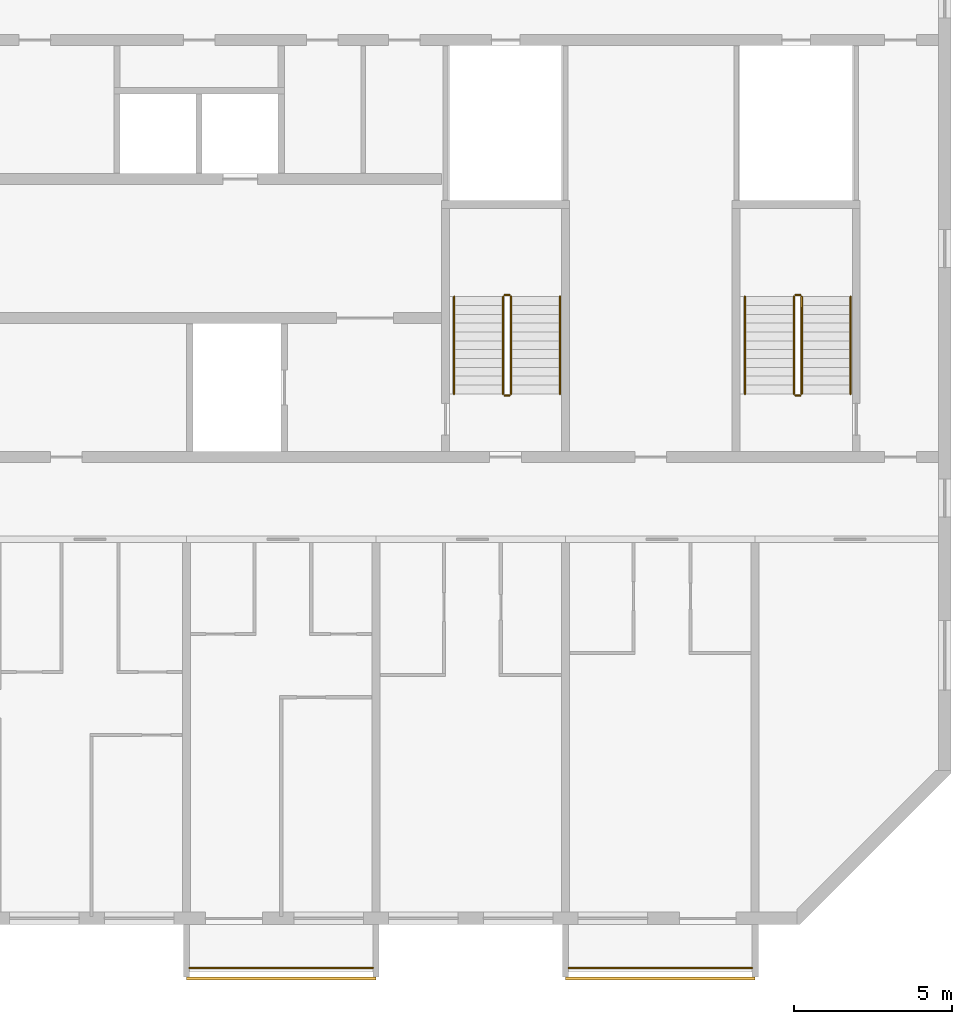
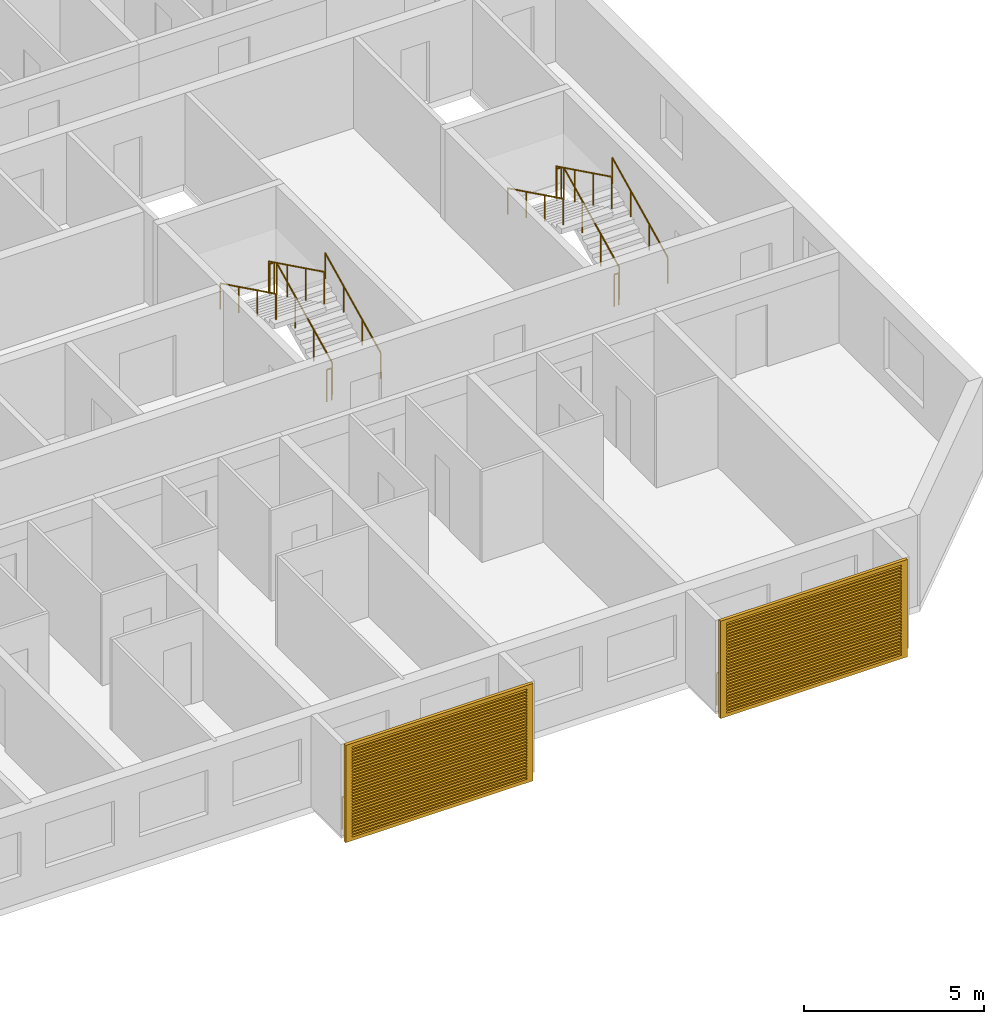
# One storey, part 14 of 26: 14 railings, 2 shading devices.
"""IFC4 building model written with IfcOpenShell, lengths in metres."""

from ifc_helpers import new_model, si_unit, direction, frame, origin, origin_2d, place, context, subcontext, project, spatial, polyline, circle, outline, extrude, source, transform, mapped, material, material_profile, profile_set, type_object, element, save


model = new_model("IFC4")

# Units and contexts
model_context = context("Model", 3, precision=1e-05, world=origin(), true_north=direction((0.0, 1.0)))
body_context = subcontext(model_context, "Body", "Model", "MODEL_VIEW")
ifc_project = project(units=[si_unit("LENGTHUNIT", "METRE"), si_unit("AREAUNIT", "SQUARE_METRE"), si_unit("VOLUMEUNIT", "CUBIC_METRE"), si_unit("PLANEANGLEUNIT", "RADIAN"), si_unit("MASSUNIT", "GRAM", prefix="KILO")], contexts=[model_context])

# Site, building, storey
site_placement = place(None, origin())
site = spatial("IfcSite", under=ifc_project, at=site_placement, CompositionType="ELEMENT")
building_placement = place(site_placement, origin())
building = spatial("IfcBuilding", under=site, at=building_placement, Name="Poui Terraces", CompositionType="ELEMENT")
storey_placement = place(building_placement, frame((0.0, 0.0, 247.800048828125)))
storey = spatial("IfcBuildingStorey", under=building, at=storey_placement, Name="L69", CompositionType="ELEMENT", Elevation=247.800048828125)

# Railings
ifc_material_1 = material(Name="Painted steel fretwork", Category="steel")
railing_type_1 = type_object("IfcRailingType", Name="BALCONY GUARD 1100", PredefinedType="GUARDRAIL", material=ifc_material_1)
for number, where, name in (
    (1, (60.10009765625, -1.570068359375, 0.0), "BALCONY GUARD"),
    (2, (72.10009765625, -1.570068359375, 0.0), "BALCONY GUARD"),
):
    element("IfcRailing", number, at=place(storey_placement, frame(where)), inside=storey, type_object=railing_type_1, Name=name, PredefinedType="GUARDRAIL", context=body_context, shape_type="SweptSolid", body=[
        extrude(circle(Radius=0.02392578125, at=origin_2d()), frame((0.0, 0.0, 1.076171875), z_axis=(1.0, 0.0, 0.0), x_axis=(0.0, 1.0, 0.0)), (0.0, 0.0, 1.0), 5.7998046875),
        extrude(circle(Radius=0.02099609375, at=origin_2d()), origin(), (0.0, 0.0, 1.0), 1.052001953125),
        extrude(circle(Radius=0.02099609375, at=origin_2d()), frame((0.966552734375, 0.0, 0.0)), (0.0, 0.0, 1.0), 1.052001953125),
        extrude(circle(Radius=0.02099609375, at=origin_2d()), frame((1.933349609375, 0.0, 0.0)), (0.0, 0.0, 1.0), 1.052001953125),
        extrude(circle(Radius=0.02099609375, at=origin_2d()), frame((2.89990234375, 0.0, 0.0)), (0.0, 0.0, 1.0), 1.052001953125),
        extrude(circle(Radius=0.02099609375, at=origin_2d()), frame((3.866455078125, 0.0, 0.0)), (0.0, 0.0, 1.0), 1.052001953125),
        extrude(circle(Radius=0.02099609375, at=origin_2d()), frame((4.833251953125, 0.0, 0.0)), (0.0, 0.0, 1.0), 1.052001953125),
        extrude(circle(Radius=0.02099609375, at=origin_2d()), frame((5.7998046875, 0.0, 0.0)), (0.0, 0.0, 1.0), 1.052001953125),
    ])
ifc_material_2 = material(Name="Galvanised steel balustrade", Category="steel")
railing_type_2 = type_object("IfcRailingType", Name="STAIR GUARD 1100", PredefinedType="GUARDRAIL", material=ifc_material_2)
railing_1_placement = place(storey_placement, frame((70.27490234375, 16.60009765625, 0.137451171875)))
element("IfcRailing", 3, at=railing_1_placement, inside=storey, type_object=railing_type_2, Name="L69 ST-CE stair guard 1", PredefinedType="GUARDRAIL", context=body_context, shape_type="SweptSolid", body=[
    extrude(circle(Radius=0.02392578125, at=origin_2d()), frame((0.0, 0.0, 1.076171875), z_axis=(0.0, 0.897606190399, 0.440798283751), x_axis=(-1.0, 0.0, 0.0)), (0.0, 0.0, 1.0), 3.43115234375),
    extrude(circle(Radius=0.02099609375, at=origin_2d()), origin(), (0.0, 0.0, 1.0), 1.052001953125),
    extrude(circle(Radius=0.02099609375, at=origin_2d()), frame((0.0, 1.026611328125, 0.504150390625)), (0.0, 0.0, 1.0), 1.052001953125),
    extrude(circle(Radius=0.02099609375, at=origin_2d()), frame((0.0, 2.05322265625, 1.00830078125)), (0.0, 0.0, 1.0), 1.052001953125),
    extrude(circle(Radius=0.02099609375, at=origin_2d()), frame((0.0, 3.079833984375, 1.512451171875)), (0.0, 0.0, 1.0), 1.052001953125),
])
railing_2_placement = place(storey_placement, frame((70.22509765625, 19.72998046875, 1.64990234375)))
element("IfcRailing", 4, at=railing_2_placement, inside=storey, type_object=railing_type_2, Name="L69 ST-CE stair guard 2", PredefinedType="GUARDRAIL", context=body_context, shape_type="SweptSolid", body=[
    extrude(circle(Radius=0.02392578125, at=origin_2d()), frame((0.0, 0.0, 1.076171875), z_axis=(-1.0, 0.0, 0.0), x_axis=(0.0, -1.0, 0.0)), (0.0, 0.0, 1.0), 0.150146484375),
    extrude(circle(Radius=0.02099609375, at=origin_2d()), origin(), (0.0, 0.0, 1.0), 1.052001953125),
    extrude(circle(Radius=0.02099609375, at=origin_2d()), frame((-0.150146484375, 0.0, 0.0)), (0.0, 0.0, 1.0), 1.052001953125),
])
railing_3_placement = place(storey_placement, frame((70.02490234375, 19.679931640625, 1.787353515625)))
element("IfcRailing", 5, at=railing_3_placement, inside=storey, type_object=railing_type_2, Name="L69 ST-CE stair guard 3", PredefinedType="GUARDRAIL", context=body_context, shape_type="SweptSolid", body=[
    extrude(circle(Radius=0.02392578125, at=origin_2d()), frame((0.0, 0.0, 1.076171875), z_axis=(0.0, -0.897578036475, 0.440855609512), x_axis=(1.0, 0.0, 0.0)), (0.0, 0.0, 1.0), 3.43115234375),
    extrude(circle(Radius=0.02099609375, at=origin_2d()), origin(), (0.0, 0.0, 1.0), 1.052001953125),
    extrude(circle(Radius=0.02099609375, at=origin_2d()), frame((0.0, -1.026611328125, 0.504150390625)), (0.0, 0.0, 1.0), 1.052001953125),
    extrude(circle(Radius=0.02099609375, at=origin_2d()), frame((0.0, -2.05322265625, 1.008544921875)), (0.0, 0.0, 1.0), 1.052001953125),
    extrude(circle(Radius=0.02099609375, at=origin_2d()), frame((0.0, -3.079833984375, 1.5126953125)), (0.0, 0.0, 1.0), 1.052001953125),
])
railing_4_placement = place(storey_placement, frame((70.22509765625, 16.550048828125, 0.0)))
element("IfcRailing", 6, at=railing_4_placement, inside=storey, type_object=railing_type_2, Name="L69 ST-CE stair guard 4", PredefinedType="GUARDRAIL", context=body_context, shape_type="SweptSolid", body=[
    extrude(circle(Radius=0.02392578125, at=origin_2d()), frame((0.0, 0.0, 1.076171875), z_axis=(-1.0, 0.0, 0.0), x_axis=(0.0, -1.0, 0.0)), (0.0, 0.0, 1.0), 0.150146484375),
    extrude(circle(Radius=0.02099609375, at=origin_2d()), origin(), (0.0, 0.0, 1.0), 1.052001953125),
    extrude(circle(Radius=0.02099609375, at=origin_2d()), frame((-0.150146484375, 0.0, 0.0)), (0.0, 0.0, 1.0), 1.052001953125),
])
railing_5_placement = place(storey_placement, frame((79.47509765625, 16.60009765625, 0.137451171875)))
element("IfcRailing", 7, at=railing_5_placement, inside=storey, type_object=railing_type_2, Name="L69 ST-E stair guard 1", PredefinedType="GUARDRAIL", context=body_context, shape_type="SweptSolid", body=[
    extrude(circle(Radius=0.02392578125, at=origin_2d()), frame((0.0, 0.0, 1.076171875), z_axis=(0.0, 0.897606190399, 0.440798283751), x_axis=(-1.0, 0.0, 0.0)), (0.0, 0.0, 1.0), 3.43115234375),
    extrude(circle(Radius=0.02099609375, at=origin_2d()), origin(), (0.0, 0.0, 1.0), 1.052001953125),
    extrude(circle(Radius=0.02099609375, at=origin_2d()), frame((0.0, 1.026611328125, 0.504150390625)), (0.0, 0.0, 1.0), 1.052001953125),
    extrude(circle(Radius=0.02099609375, at=origin_2d()), frame((0.0, 2.05322265625, 1.00830078125)), (0.0, 0.0, 1.0), 1.052001953125),
    extrude(circle(Radius=0.02099609375, at=origin_2d()), frame((0.0, 3.079833984375, 1.512451171875)), (0.0, 0.0, 1.0), 1.052001953125),
])
railing_6_placement = place(storey_placement, frame((79.425048828125, 19.72998046875, 1.64990234375)))
element("IfcRailing", 8, at=railing_6_placement, inside=storey, type_object=railing_type_2, Name="L69 ST-E stair guard 2", PredefinedType="GUARDRAIL", context=body_context, shape_type="SweptSolid", body=[
    extrude(circle(Radius=0.02392578125, at=origin_2d()), frame((0.0, 0.0, 1.076171875), z_axis=(-1.0, 0.0, 0.0), x_axis=(0.0, -1.0, 0.0)), (0.0, 0.0, 1.0), 0.150146484375),
    extrude(circle(Radius=0.02099609375, at=origin_2d()), origin(), (0.0, 0.0, 1.0), 1.052001953125),
    extrude(circle(Radius=0.02099609375, at=origin_2d()), frame((-0.150146484375, 0.0, 0.0)), (0.0, 0.0, 1.0), 1.052001953125),
])
railing_7_placement = place(storey_placement, frame((79.22509765625, 19.679931640625, 1.787353515625)))
element("IfcRailing", 9, at=railing_7_placement, inside=storey, type_object=railing_type_2, Name="L69 ST-E stair guard 3", PredefinedType="GUARDRAIL", context=body_context, shape_type="SweptSolid", body=[
    extrude(circle(Radius=0.02392578125, at=origin_2d()), frame((0.0, 0.0, 1.076171875), z_axis=(0.0, -0.897578036475, 0.440855609512), x_axis=(1.0, 0.0, 0.0)), (0.0, 0.0, 1.0), 3.43115234375),
    extrude(circle(Radius=0.02099609375, at=origin_2d()), origin(), (0.0, 0.0, 1.0), 1.052001953125),
    extrude(circle(Radius=0.02099609375, at=origin_2d()), frame((0.0, -1.026611328125, 0.504150390625)), (0.0, 0.0, 1.0), 1.052001953125),
    extrude(circle(Radius=0.02099609375, at=origin_2d()), frame((0.0, -2.05322265625, 1.008544921875)), (0.0, 0.0, 1.0), 1.052001953125),
    extrude(circle(Radius=0.02099609375, at=origin_2d()), frame((0.0, -3.079833984375, 1.5126953125)), (0.0, 0.0, 1.0), 1.052001953125),
])
railing_8_placement = place(storey_placement, frame((79.425048828125, 16.550048828125, 0.0)))
element("IfcRailing", 10, at=railing_8_placement, inside=storey, type_object=railing_type_2, Name="L69 ST-E stair guard 4", PredefinedType="GUARDRAIL", context=body_context, shape_type="SweptSolid", body=[
    extrude(circle(Radius=0.02392578125, at=origin_2d()), frame((0.0, 0.0, 1.076171875), z_axis=(-1.0, 0.0, 0.0), x_axis=(0.0, -1.0, 0.0)), (0.0, 0.0, 1.0), 0.150146484375),
    extrude(circle(Radius=0.02099609375, at=origin_2d()), origin(), (0.0, 0.0, 1.0), 1.052001953125),
    extrude(circle(Radius=0.02099609375, at=origin_2d()), frame((-0.150146484375, 0.0, 0.0)), (0.0, 0.0, 1.0), 1.052001953125),
])
ifc_material_3 = material(Name="Stainless steel handrail", Category="steel")
railing_type_3 = type_object("IfcRailingType", Name="STAIR HANDRAIL 900", PredefinedType="HANDRAIL", material=ifc_material_3)
railing_9_placement = place(storey_placement, frame((71.824951171875, 16.60009765625, 0.137451171875)))
element("IfcRailing", 11, at=railing_9_placement, inside=storey, type_object=railing_type_3, Name="L69 ST-CE stair handrail 1", PredefinedType="HANDRAIL", context=body_context, shape_type="SweptSolid", body=[
    extrude(circle(Radius=0.02392578125, at=origin_2d()), frame((0.0, 0.0, 0.8759765625), z_axis=(0.0, 0.897606190399, 0.440798283751), x_axis=(-1.0, 0.0, 0.0)), (0.0, 0.0, 1.0), 3.43115234375),
    extrude(circle(Radius=0.02099609375, at=origin_2d()), origin(), (0.0, 0.0, 1.0), 0.851806640625),
    extrude(circle(Radius=0.02099609375, at=origin_2d()), frame((0.0, 1.026611328125, 0.504150390625)), (0.0, 0.0, 1.0), 0.851806640625),
    extrude(circle(Radius=0.02099609375, at=origin_2d()), frame((0.0, 2.05322265625, 1.00830078125)), (0.0, 0.0, 1.0), 0.851806640625),
    extrude(circle(Radius=0.02099609375, at=origin_2d()), frame((0.0, 3.079833984375, 1.512451171875)), (0.0, 0.0, 1.0), 0.851806640625),
])
railing_10_placement = place(storey_placement, frame((68.47509765625, 19.679931640625, 1.787353515625)))
element("IfcRailing", 12, at=railing_10_placement, inside=storey, type_object=railing_type_3, Name="L69 ST-CE stair handrail 2", PredefinedType="HANDRAIL", context=body_context, shape_type="SweptSolid", body=[
    extrude(circle(Radius=0.02392578125, at=origin_2d()), frame((0.0, 0.0, 0.8759765625), z_axis=(0.0, -0.897578036475, 0.440855609512), x_axis=(1.0, 0.0, 0.0)), (0.0, 0.0, 1.0), 3.43115234375),
    extrude(circle(Radius=0.02099609375, at=origin_2d()), origin(), (0.0, 0.0, 1.0), 0.851806640625),
    extrude(circle(Radius=0.02099609375, at=origin_2d()), frame((0.0, -1.026611328125, 0.504150390625)), (0.0, 0.0, 1.0), 0.851806640625),
    extrude(circle(Radius=0.02099609375, at=origin_2d()), frame((0.0, -2.05322265625, 1.008544921875)), (0.0, 0.0, 1.0), 0.851806640625),
    extrude(circle(Radius=0.02099609375, at=origin_2d()), frame((0.0, -3.079833984375, 1.5126953125)), (0.0, 0.0, 1.0), 0.851806640625),
])
railing_11_placement = place(storey_placement, frame((81.02490234375, 16.60009765625, 0.137451171875)))
element("IfcRailing", 13, at=railing_11_placement, inside=storey, type_object=railing_type_3, Name="L69 ST-E stair handrail 1", PredefinedType="HANDRAIL", context=body_context, shape_type="SweptSolid", body=[
    extrude(circle(Radius=0.02392578125, at=origin_2d()), frame((0.0, 0.0, 0.8759765625), z_axis=(0.0, 0.897606190399, 0.440798283751), x_axis=(-1.0, 0.0, 0.0)), (0.0, 0.0, 1.0), 3.43115234375),
    extrude(circle(Radius=0.02099609375, at=origin_2d()), origin(), (0.0, 0.0, 1.0), 0.851806640625),
    extrude(circle(Radius=0.02099609375, at=origin_2d()), frame((0.0, 1.026611328125, 0.504150390625)), (0.0, 0.0, 1.0), 0.851806640625),
    extrude(circle(Radius=0.02099609375, at=origin_2d()), frame((0.0, 2.05322265625, 1.00830078125)), (0.0, 0.0, 1.0), 0.851806640625),
    extrude(circle(Radius=0.02099609375, at=origin_2d()), frame((0.0, 3.079833984375, 1.512451171875)), (0.0, 0.0, 1.0), 0.851806640625),
])
railing_12_placement = place(storey_placement, frame((77.675048828125, 19.679931640625, 1.787353515625)))
element("IfcRailing", 14, at=railing_12_placement, inside=storey, type_object=railing_type_3, Name="L69 ST-E stair handrail 2", PredefinedType="HANDRAIL", context=body_context, shape_type="SweptSolid", body=[
    extrude(circle(Radius=0.02392578125, at=origin_2d()), frame((0.0, 0.0, 0.8759765625), z_axis=(0.0, -0.897578036475, 0.440855609512), x_axis=(1.0, 0.0, 0.0)), (0.0, 0.0, 1.0), 3.43115234375),
    extrude(circle(Radius=0.02099609375, at=origin_2d()), origin(), (0.0, 0.0, 1.0), 0.851806640625),
    extrude(circle(Radius=0.02099609375, at=origin_2d()), frame((0.0, -1.026611328125, 0.504150390625)), (0.0, 0.0, 1.0), 0.851806640625),
    extrude(circle(Radius=0.02099609375, at=origin_2d()), frame((0.0, -2.05322265625, 1.008544921875)), (0.0, 0.0, 1.0), 0.851806640625),
    extrude(circle(Radius=0.02099609375, at=origin_2d()), frame((0.0, -3.079833984375, 1.5126953125)), (0.0, 0.0, 1.0), 0.851806640625),
])

# Shading devices
ifc_material_4 = material(Name="Aluminium louvre", Category="aluminium")
ifc_material_profile = material_profile(ifc_material_4, outline(polyline([(-3.0, -1.64990234375), (3.0, -1.64990234375), (3.0, 1.64990234375), (-3.0, 1.64990234375), (-3.0, -1.64990234375)]), holes=[polyline([(-2.800048828125, -1.530029296875), (2.800048828125, -1.530029296875), (2.800048828125, -1.469970703125), (-2.800048828125, -1.469970703125), (-2.800048828125, -1.530029296875)]), polyline([(-2.800048828125, -1.429931640625), (2.800048828125, -1.429931640625), (2.800048828125, -1.3701171875), (-2.800048828125, -1.3701171875), (-2.800048828125, -1.429931640625)]), polyline([(-2.800048828125, -1.330078125), (2.800048828125, -1.330078125), (2.800048828125, -1.27001953125), (-2.800048828125, -1.27001953125), (-2.800048828125, -1.330078125)]), polyline([(-2.800048828125, -1.22998046875), (2.800048828125, -1.22998046875), (2.800048828125, -1.169921875), (-2.800048828125, -1.169921875), (-2.800048828125, -1.22998046875)]), polyline([(-2.800048828125, -1.1298828125), (2.800048828125, -1.1298828125), (2.800048828125, -1.070068359375), (-2.800048828125, -1.070068359375), (-2.800048828125, -1.1298828125)]), polyline([(-2.800048828125, -1.030029296875), (2.800048828125, -1.030029296875), (2.800048828125, -0.969970703125), (-2.800048828125, -0.969970703125), (-2.800048828125, -1.030029296875)]), polyline([(-2.800048828125, -0.929931640625), (2.800048828125, -0.929931640625), (2.800048828125, -0.8701171875), (-2.800048828125, -0.8701171875), (-2.800048828125, -0.929931640625)]), polyline([(-2.800048828125, -0.830078125), (2.800048828125, -0.830078125), (2.800048828125, -0.77001953125), (-2.800048828125, -0.77001953125), (-2.800048828125, -0.830078125)]), polyline([(-2.800048828125, -0.72998046875), (2.800048828125, -0.72998046875), (2.800048828125, -0.669921875), (-2.800048828125, -0.669921875), (-2.800048828125, -0.72998046875)]), polyline([(-2.800048828125, -0.6298828125), (2.800048828125, -0.6298828125), (2.800048828125, -0.570068359375), (-2.800048828125, -0.570068359375), (-2.800048828125, -0.6298828125)]), polyline([(-2.800048828125, -0.530029296875), (2.800048828125, -0.530029296875), (2.800048828125, -0.469970703125), (-2.800048828125, -0.469970703125), (-2.800048828125, -0.530029296875)]), polyline([(-2.800048828125, -0.429931640625), (2.800048828125, -0.429931640625), (2.800048828125, -0.3701171875), (-2.800048828125, -0.3701171875), (-2.800048828125, -0.429931640625)]), polyline([(-2.800048828125, -0.330078125), (2.800048828125, -0.330078125), (2.800048828125, -0.27001953125), (-2.800048828125, -0.27001953125), (-2.800048828125, -0.330078125)]), polyline([(-2.800048828125, -0.22998046875), (2.800048828125, -0.22998046875), (2.800048828125, -0.169921875), (-2.800048828125, -0.169921875), (-2.800048828125, -0.22998046875)]), polyline([(-2.800048828125, -0.1298828125), (2.800048828125, -0.1298828125), (2.800048828125, -0.070068359375), (-2.800048828125, -0.070068359375), (-2.800048828125, -0.1298828125)]), polyline([(-2.800048828125, -0.030029296875), (2.800048828125, -0.030029296875), (2.800048828125, 0.030029296875), (-2.800048828125, 0.030029296875), (-2.800048828125, -0.030029296875)]), polyline([(-2.800048828125, 0.070068359375), (2.800048828125, 0.070068359375), (2.800048828125, 0.1298828125), (-2.800048828125, 0.1298828125), (-2.800048828125, 0.070068359375)]), polyline([(-2.800048828125, 0.169921875), (2.800048828125, 0.169921875), (2.800048828125, 0.22998046875), (-2.800048828125, 0.22998046875), (-2.800048828125, 0.169921875)]), polyline([(-2.800048828125, 0.27001953125), (2.800048828125, 0.27001953125), (2.800048828125, 0.330078125), (-2.800048828125, 0.330078125), (-2.800048828125, 0.27001953125)]), polyline([(-2.800048828125, 0.3701171875), (2.800048828125, 0.3701171875), (2.800048828125, 0.429931640625), (-2.800048828125, 0.429931640625), (-2.800048828125, 0.3701171875)]), polyline([(-2.800048828125, 0.469970703125), (2.800048828125, 0.469970703125), (2.800048828125, 0.530029296875), (-2.800048828125, 0.530029296875), (-2.800048828125, 0.469970703125)]), polyline([(-2.800048828125, 0.570068359375), (2.800048828125, 0.570068359375), (2.800048828125, 0.6298828125), (-2.800048828125, 0.6298828125), (-2.800048828125, 0.570068359375)]), polyline([(-2.800048828125, 0.669921875), (2.800048828125, 0.669921875), (2.800048828125, 0.72998046875), (-2.800048828125, 0.72998046875), (-2.800048828125, 0.669921875)]), polyline([(-2.800048828125, 0.77001953125), (2.800048828125, 0.77001953125), (2.800048828125, 0.830078125), (-2.800048828125, 0.830078125), (-2.800048828125, 0.77001953125)]), polyline([(-2.800048828125, 0.8701171875), (2.800048828125, 0.8701171875), (2.800048828125, 0.929931640625), (-2.800048828125, 0.929931640625), (-2.800048828125, 0.8701171875)]), polyline([(-2.800048828125, 0.969970703125), (2.800048828125, 0.969970703125), (2.800048828125, 1.030029296875), (-2.800048828125, 1.030029296875), (-2.800048828125, 0.969970703125)]), polyline([(-2.800048828125, 1.070068359375), (2.800048828125, 1.070068359375), (2.800048828125, 1.1298828125), (-2.800048828125, 1.1298828125), (-2.800048828125, 1.070068359375)]), polyline([(-2.800048828125, 1.169921875), (2.800048828125, 1.169921875), (2.800048828125, 1.22998046875), (-2.800048828125, 1.22998046875), (-2.800048828125, 1.169921875)]), polyline([(-2.800048828125, 1.27001953125), (2.800048828125, 1.27001953125), (2.800048828125, 1.330078125), (-2.800048828125, 1.330078125), (-2.800048828125, 1.27001953125)]), polyline([(-2.800048828125, 1.3701171875), (2.800048828125, 1.3701171875), (2.800048828125, 1.429931640625), (-2.800048828125, 1.429931640625), (-2.800048828125, 1.3701171875)]), polyline([(-2.800048828125, 1.469970703125), (2.800048828125, 1.469970703125), (2.800048828125, 1.530029296875), (-2.800048828125, 1.530029296875), (-2.800048828125, 1.469970703125)])]), Name="JALOUSIE LOUVRE SHUTTER 6000X3300")
ifc_profile_set = profile_set([ifc_material_profile], Name="Aluminium louvre")
shading_device_type = type_object("IfcShadingDeviceType", Name="JALOUSIE LOUVRE SHUTTER 6000X3300", PredefinedType="JALOUSIE", material=ifc_profile_set)
shared_shape = source(origin(), body_context, "Body", "SweptSolid", [
    extrude(outline(polyline([(-3.0, -1.64990234375), (3.0, -1.64990234375), (3.0, 1.64990234375), (-3.0, 1.64990234375), (-3.0, -1.64990234375)]), holes=[polyline([(-2.800048828125, -1.530029296875), (2.800048828125, -1.530029296875), (2.800048828125, -1.469970703125), (-2.800048828125, -1.469970703125), (-2.800048828125, -1.530029296875)]), polyline([(-2.800048828125, -1.429931640625), (2.800048828125, -1.429931640625), (2.800048828125, -1.3701171875), (-2.800048828125, -1.3701171875), (-2.800048828125, -1.429931640625)]), polyline([(-2.800048828125, -1.330078125), (2.800048828125, -1.330078125), (2.800048828125, -1.27001953125), (-2.800048828125, -1.27001953125), (-2.800048828125, -1.330078125)]), polyline([(-2.800048828125, -1.22998046875), (2.800048828125, -1.22998046875), (2.800048828125, -1.169921875), (-2.800048828125, -1.169921875), (-2.800048828125, -1.22998046875)]), polyline([(-2.800048828125, -1.1298828125), (2.800048828125, -1.1298828125), (2.800048828125, -1.070068359375), (-2.800048828125, -1.070068359375), (-2.800048828125, -1.1298828125)]), polyline([(-2.800048828125, -1.030029296875), (2.800048828125, -1.030029296875), (2.800048828125, -0.969970703125), (-2.800048828125, -0.969970703125), (-2.800048828125, -1.030029296875)]), polyline([(-2.800048828125, -0.929931640625), (2.800048828125, -0.929931640625), (2.800048828125, -0.8701171875), (-2.800048828125, -0.8701171875), (-2.800048828125, -0.929931640625)]), polyline([(-2.800048828125, -0.830078125), (2.800048828125, -0.830078125), (2.800048828125, -0.77001953125), (-2.800048828125, -0.77001953125), (-2.800048828125, -0.830078125)]), polyline([(-2.800048828125, -0.72998046875), (2.800048828125, -0.72998046875), (2.800048828125, -0.669921875), (-2.800048828125, -0.669921875), (-2.800048828125, -0.72998046875)]), polyline([(-2.800048828125, -0.6298828125), (2.800048828125, -0.6298828125), (2.800048828125, -0.570068359375), (-2.800048828125, -0.570068359375), (-2.800048828125, -0.6298828125)]), polyline([(-2.800048828125, -0.530029296875), (2.800048828125, -0.530029296875), (2.800048828125, -0.469970703125), (-2.800048828125, -0.469970703125), (-2.800048828125, -0.530029296875)]), polyline([(-2.800048828125, -0.429931640625), (2.800048828125, -0.429931640625), (2.800048828125, -0.3701171875), (-2.800048828125, -0.3701171875), (-2.800048828125, -0.429931640625)]), polyline([(-2.800048828125, -0.330078125), (2.800048828125, -0.330078125), (2.800048828125, -0.27001953125), (-2.800048828125, -0.27001953125), (-2.800048828125, -0.330078125)]), polyline([(-2.800048828125, -0.22998046875), (2.800048828125, -0.22998046875), (2.800048828125, -0.169921875), (-2.800048828125, -0.169921875), (-2.800048828125, -0.22998046875)]), polyline([(-2.800048828125, -0.1298828125), (2.800048828125, -0.1298828125), (2.800048828125, -0.070068359375), (-2.800048828125, -0.070068359375), (-2.800048828125, -0.1298828125)]), polyline([(-2.800048828125, -0.030029296875), (2.800048828125, -0.030029296875), (2.800048828125, 0.030029296875), (-2.800048828125, 0.030029296875), (-2.800048828125, -0.030029296875)]), polyline([(-2.800048828125, 0.070068359375), (2.800048828125, 0.070068359375), (2.800048828125, 0.1298828125), (-2.800048828125, 0.1298828125), (-2.800048828125, 0.070068359375)]), polyline([(-2.800048828125, 0.169921875), (2.800048828125, 0.169921875), (2.800048828125, 0.22998046875), (-2.800048828125, 0.22998046875), (-2.800048828125, 0.169921875)]), polyline([(-2.800048828125, 0.27001953125), (2.800048828125, 0.27001953125), (2.800048828125, 0.330078125), (-2.800048828125, 0.330078125), (-2.800048828125, 0.27001953125)]), polyline([(-2.800048828125, 0.3701171875), (2.800048828125, 0.3701171875), (2.800048828125, 0.429931640625), (-2.800048828125, 0.429931640625), (-2.800048828125, 0.3701171875)]), polyline([(-2.800048828125, 0.469970703125), (2.800048828125, 0.469970703125), (2.800048828125, 0.530029296875), (-2.800048828125, 0.530029296875), (-2.800048828125, 0.469970703125)]), polyline([(-2.800048828125, 0.570068359375), (2.800048828125, 0.570068359375), (2.800048828125, 0.6298828125), (-2.800048828125, 0.6298828125), (-2.800048828125, 0.570068359375)]), polyline([(-2.800048828125, 0.669921875), (2.800048828125, 0.669921875), (2.800048828125, 0.72998046875), (-2.800048828125, 0.72998046875), (-2.800048828125, 0.669921875)]), polyline([(-2.800048828125, 0.77001953125), (2.800048828125, 0.77001953125), (2.800048828125, 0.830078125), (-2.800048828125, 0.830078125), (-2.800048828125, 0.77001953125)]), polyline([(-2.800048828125, 0.8701171875), (2.800048828125, 0.8701171875), (2.800048828125, 0.929931640625), (-2.800048828125, 0.929931640625), (-2.800048828125, 0.8701171875)]), polyline([(-2.800048828125, 0.969970703125), (2.800048828125, 0.969970703125), (2.800048828125, 1.030029296875), (-2.800048828125, 1.030029296875), (-2.800048828125, 0.969970703125)]), polyline([(-2.800048828125, 1.070068359375), (2.800048828125, 1.070068359375), (2.800048828125, 1.1298828125), (-2.800048828125, 1.1298828125), (-2.800048828125, 1.070068359375)]), polyline([(-2.800048828125, 1.169921875), (2.800048828125, 1.169921875), (2.800048828125, 1.22998046875), (-2.800048828125, 1.22998046875), (-2.800048828125, 1.169921875)]), polyline([(-2.800048828125, 1.27001953125), (2.800048828125, 1.27001953125), (2.800048828125, 1.330078125), (-2.800048828125, 1.330078125), (-2.800048828125, 1.27001953125)]), polyline([(-2.800048828125, 1.3701171875), (2.800048828125, 1.3701171875), (2.800048828125, 1.429931640625), (-2.800048828125, 1.429931640625), (-2.800048828125, 1.3701171875)]), polyline([(-2.800048828125, 1.469970703125), (2.800048828125, 1.469970703125), (2.800048828125, 1.530029296875), (-2.800048828125, 1.530029296875), (-2.800048828125, 1.469970703125)])]), origin(), (0.0, 0.0, 1.0), 0.099853515625),
])
for number, where, z_axis, x_axis, name in (
    (15, (63.0, -1.85009765625, 1.449951171875), (0.0, -1.0, 0.0), (1.0, 0.0, 0.0), "JALOUSIE LOUVRE SHUTTER"),
    (16, (75.0, -1.85009765625, 1.449951171875), (0.0, -1.0, 0.0), (1.0, 0.0, 0.0), "JALOUSIE LOUVRE SHUTTER"),
):
    element("IfcShadingDevice", number, at=place(storey_placement, frame(where, z_axis=z_axis, x_axis=x_axis)), inside=storey, type_object=shading_device_type, Name=name, PredefinedType="JALOUSIE", context=body_context, shape_type="MappedRepresentation", body=[
        mapped(shared_shape, transform((0.0, 0.0, 0.0))),
    ])

save(model, "model.ifc")
